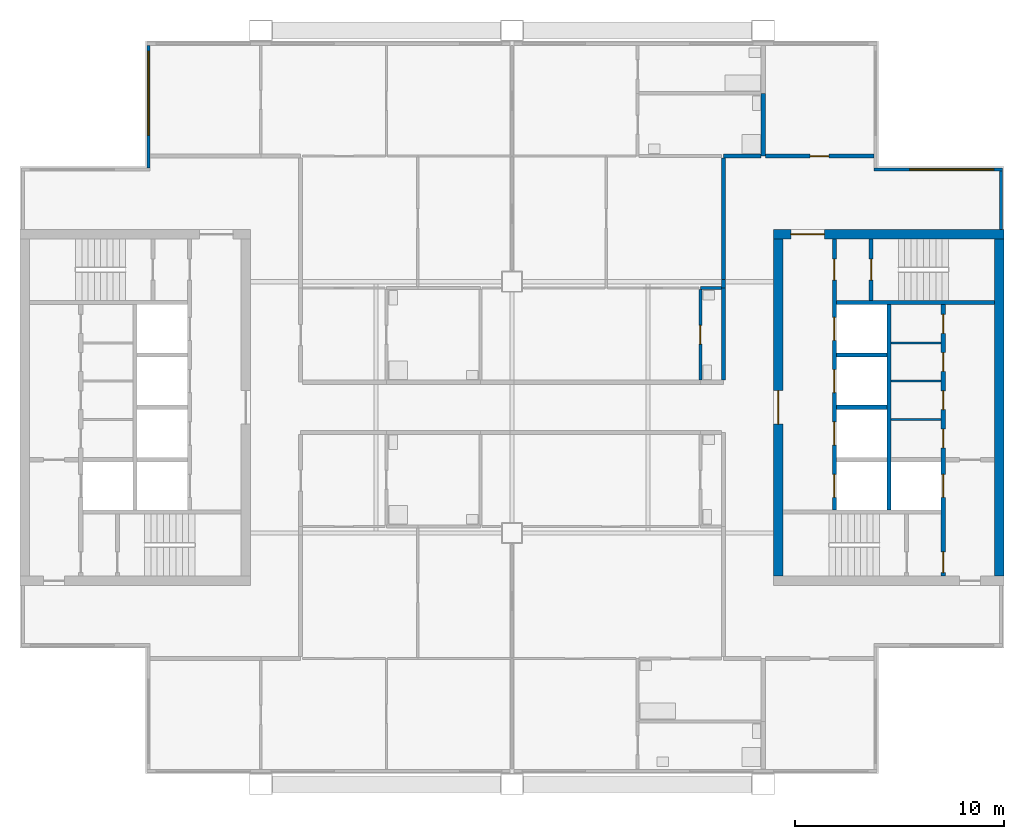
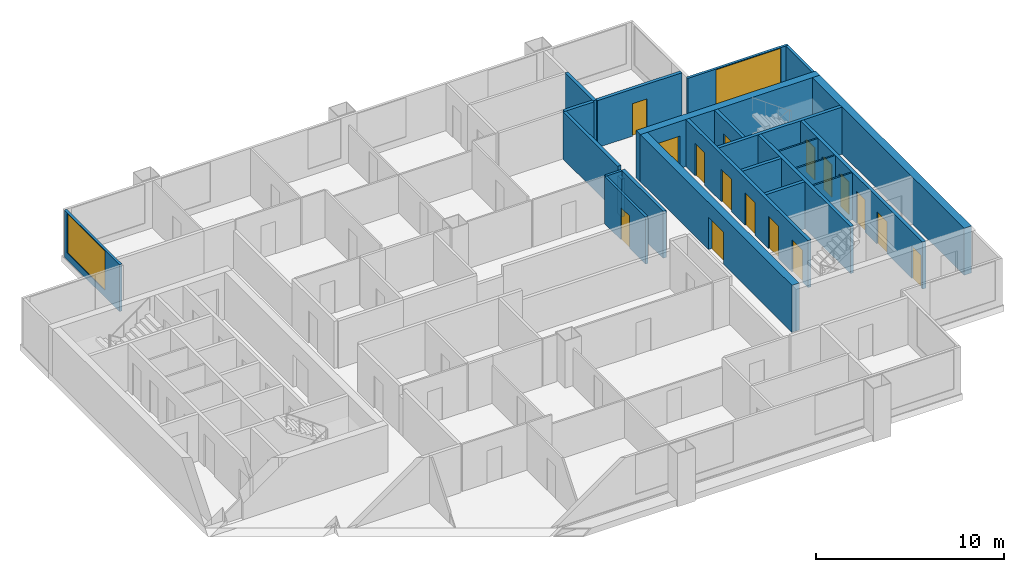
# One storey, part 5 of 8: 24 walls, 16 doors, 2 windows, 18 openings.
"""IFC4 building model written with IfcOpenShell, lengths in metres."""

from ifc_helpers import new_model, si_unit, direction, frame, frame_2d, origin, place, context, subcontext, project, spatial, rectangle, extrude, material, layer, layer_set, type_object, element, fill, save


model = new_model("IFC4")

# Units and contexts
model_context = context("Model", 3, precision=1e-05, world=origin(), true_north=direction((0.0, 1.0)))
body_context = subcontext(model_context, "Body", "Model", "MODEL_VIEW")
ifc_project = project(units=[si_unit("LENGTHUNIT", "METRE"), si_unit("AREAUNIT", "SQUARE_METRE"), si_unit("VOLUMEUNIT", "CUBIC_METRE"), si_unit("PLANEANGLEUNIT", "RADIAN"), si_unit("MASSUNIT", "GRAM", prefix="KILO")], contexts=[model_context])

# Site, building, storey
site_placement = place(None, origin())
site = spatial("IfcSite", under=ifc_project, at=site_placement, CompositionType="ELEMENT")
building_placement = place(site_placement, origin())
building = spatial("IfcBuilding", under=site, at=building_placement, Name="Kitamizu Gate Tower and Museum", CompositionType="ELEMENT")
storey_placement = place(building_placement, frame((0.0, 0.0, 228.300048828125)))
storey = spatial("IfcBuildingStorey", under=building, at=storey_placement, Name="L61", CompositionType="ELEMENT", Elevation=228.300048828125)

# Wall, opening, door
ifc_material_1 = material(Name="Concrete Fc42", Category="concrete")
ifc_layer_1 = layer(ifc_material_1, 0.449951171875)
ifc_layer_set_1 = layer_set([ifc_layer_1], Name="Concrete Fc42")
wall_type_1 = type_object("IfcWallType", Name="Core wall 450", PredefinedType="SHEAR", material=ifc_layer_set_1)
wall_1_placement = place(storey_placement, frame((59.5, 38.27490234375, 0.0), z_axis=(0.0, 0.0, 1.0), x_axis=(-1.0, 0.0, 0.0)))
wall_1 = element("IfcWall", 1, at=wall_1_placement, inside=storey, type_object=wall_type_1, Name="Core wall EN", PredefinedType="SHEAR", context=body_context, shape_type="SweptSolid", body=[
    extrude(rectangle(XDim=11.0, YDim=0.449951171875, at=frame_2d((5.5, 0.0))), origin(), (0.0, 0.0, 1.0), 3.050048828125),
])
opening_1_placement = place(wall_1_placement, frame((8.574951171875, 0.0, 0.0)))
opening_1 = element("IfcOpeningElement", 2, at=opening_1_placement, cuts=wall_1, Name="Opening L61-048", PredefinedType="OPENING", context=body_context, shape_type="SweptSolid", body=[
    extrude(rectangle(XDim=1.60009765625, YDim=2.10009765625, at=frame_2d((0.800048828125, 1.050048828125))), frame((0.0, 0.23486328125, 0.0), z_axis=(0.0, -1.0, 0.0), x_axis=(1.0, 0.0, 0.0)), (0.0, 0.0, 1.0), 0.469970703125),
])
ifc_material_2 = material(Name="Timber door set", Category="wood")
door_type_1 = type_object("IfcDoorType", Name="Entrance door 1600", OperationType="DOUBLE_DOOR_SINGLE_SWING", PredefinedType="DOOR", material=ifc_material_2)
door_1_placement = place(opening_1_placement, origin())
door_1 = element("IfcDoor", 3, at=door_1_placement, inside=storey, type_object=door_type_1, Name="Lobby door L61-048", OperationType="DOUBLE_DOOR_SINGLE_SWING", OverallHeight=2.10009765625, OverallWidth=1.60009765625, PredefinedType="DOOR", context=body_context, shape_type="SweptSolid", body=[
    extrude(rectangle(XDim=1.60009765625, YDim=2.10009765625, at=frame_2d((0.800048828125, 1.050048828125))), frame((0.0, 0.02490234375, 0.0), z_axis=(0.0, -1.0, 0.0), x_axis=(1.0, 0.0, 0.0)), (0.0, 0.0, 1.0), 0.050048828125),
])
fill(opening_1, door_1)

# Wall
wall_2_placement = place(storey_placement, frame((59.27490234375, 21.949951171875, 0.0), z_axis=(0.0, 0.0, 1.0), x_axis=(0.0, 1.0, 0.0)))
element("IfcWall", 4, at=wall_2_placement, inside=storey, type_object=wall_type_1, Name="Core wall EOUT", PredefinedType="SHEAR", context=body_context, shape_type="SweptSolid", body=[
    extrude(rectangle(XDim=16.10009765625, YDim=0.449951171875, at=frame_2d((8.050048828125, 0.0))), origin(), (0.0, 0.0, 1.0), 3.050048828125),
])

# Wall, opening, door
wall_3_placement = place(storey_placement, frame((48.72509765625, 21.949951171875, 0.0), z_axis=(0.0, 0.0, 1.0), x_axis=(0.0, 1.0, 0.0)))
wall_3 = element("IfcWall", 5, at=wall_3_placement, inside=storey, type_object=wall_type_1, Name="Core wall EARC", PredefinedType="SHEAR", context=body_context, shape_type="SweptSolid", body=[
    extrude(rectangle(XDim=16.10009765625, YDim=0.449951171875, at=frame_2d((8.050048828125, 0.0))), origin(), (0.0, 0.0, 1.0), 3.050048828125),
])
opening_2_placement = place(wall_3_placement, frame((7.25, 0.0, 0.0)))
opening_2 = element("IfcOpeningElement", 6, at=opening_2_placement, cuts=wall_3, Name="Opening L61-049", PredefinedType="OPENING", context=body_context, shape_type="SweptSolid", body=[
    extrude(rectangle(XDim=1.60009765625, YDim=2.10009765625, at=frame_2d((0.800048828125, 1.050048828125))), frame((0.0, 0.23486328125, 0.0), z_axis=(0.0, -1.0, 0.0), x_axis=(1.0, 0.0, 0.0)), (0.0, 0.0, 1.0), 0.469970703125),
])
door_2_placement = place(opening_2_placement, origin())
door_2 = element("IfcDoor", 7, at=door_2_placement, inside=storey, type_object=door_type_1, Name="Lobby door L61-049", OperationType="DOUBLE_DOOR_SINGLE_SWING", OverallHeight=2.10009765625, OverallWidth=1.60009765625, PredefinedType="DOOR", context=body_context, shape_type="SweptSolid", body=[
    extrude(rectangle(XDim=1.60009765625, YDim=2.10009765625, at=frame_2d((0.800048828125, 1.050048828125))), frame((0.0, 0.02490234375, 0.0), z_axis=(0.0, -1.0, 0.0), x_axis=(1.0, 0.0, 0.0)), (0.0, 0.0, 1.0), 0.050048828125),
])
fill(opening_2, door_2)

# Walls
ifc_material_3 = material(Name="Gypsum board on galvanised stud")
ifc_layer_2 = layer(ifc_material_3, 0.10009765625)
ifc_layer_set_2 = layer_set([ifc_layer_2], Name="Gypsum board on galvanised stud")
wall_type_2 = type_object("IfcWallType", Name="Partition 100", PredefinedType="PARTITIONING", material=ifc_layer_set_2)
for number, where, z_axis, x_axis, name in (
    (8, (56.5, 29.425048828125, 0.0), (0.0, 0.0, 1.0), (-1.0, 0.0, 0.0), "Partition EPF1"),
    (9, (56.5, 31.25, 0.0), (0.0, 0.0, 1.0), (-1.0, 0.0, 0.0), "Partition EPF2"),
    (10, (56.5, 33.074951171875, 0.0), (0.0, 0.0, 1.0), (-1.0, 0.0, 0.0), "Partition EPF3"),
):
    element("IfcWall", number, at=place(storey_placement, frame(where, z_axis=z_axis, x_axis=x_axis)), inside=storey, type_object=wall_type_2, Name=name, PredefinedType="PARTITIONING", context=body_context, shape_type="SweptSolid", body=[
        extrude(rectangle(XDim=2.39990234375, YDim=0.10009765625, at=frame_2d((1.199951171875, 0.0))), origin(), (0.0, 0.0, 1.0), 3.050048828125),
    ])
ifc_material_4 = material(Name="Gypsum board on galvanised stud")
ifc_layer_3 = layer(ifc_material_4, 0.14990234375)
ifc_layer_set_3 = layer_set([ifc_layer_3], Name="Gypsum board on galvanised stud")
wall_type_3 = type_object("IfcWallType", Name="Partition 150", PredefinedType="PARTITIONING", material=ifc_layer_set_3)
wall_4_placement = place(storey_placement, frame((45.0, 35.699951171875, 0.0), z_axis=(0.0, 0.0, 1.0), x_axis=(1.0, 0.0, 0.0)))
element("IfcWall", 11, at=wall_4_placement, inside=storey, type_object=wall_type_3, Name="Partition L61-067", PredefinedType="PARTITIONING", context=body_context, shape_type="SweptSolid", body=[
    extrude(rectangle(XDim=1.0, YDim=0.14990234375, at=frame_2d((0.5, 0.0))), origin(), (0.0, 0.0, 1.0), 3.050048828125),
])

# Wall, opening, door
wall_5_placement = place(storey_placement, frame((45.0, 31.300048828125, 0.0), z_axis=(0.0, 0.0, 1.0), x_axis=(0.0, 1.0, 0.0)))
wall_5 = element("IfcWall", 12, at=wall_5_placement, inside=storey, type_object=wall_type_3, Name="Partition L61-075", PredefinedType="PARTITIONING", context=body_context, shape_type="SweptSolid", body=[
    extrude(rectangle(XDim=4.324951171875, YDim=0.14990234375, at=frame_2d((2.16259765625, 0.0))), origin(), (0.0, 0.0, 1.0), 3.050048828125),
])
opening_3_placement = place(wall_5_placement, frame((1.71240234375, 0.0, 0.0)))
opening_3 = element("IfcOpeningElement", 13, at=opening_3_placement, cuts=wall_5, Name="Opening L61-026", PredefinedType="OPENING", context=body_context, shape_type="SweptSolid", body=[
    extrude(rectangle(XDim=0.89990234375, YDim=2.10009765625, at=frame_2d((0.449951171875, 1.050048828125))), frame((0.0, 0.0849609375, 0.0), z_axis=(0.0, -1.0, 0.0), x_axis=(1.0, 0.0, 0.0)), (0.0, 0.0, 1.0), 0.169921875),
])
ifc_material_5 = material(Name="Timber door set", Category="wood")
door_type_2 = type_object("IfcDoorType", Name="Bathroom door 900", OperationType="NOTDEFINED", PredefinedType="DOOR", material=ifc_material_5)
door_3_placement = place(opening_3_placement, frame((0.89990234375, 0.0, 0.0), x_axis=(-1.0, 0.0, 0.0)))
door_3 = element("IfcDoor", 14, at=door_3_placement, inside=storey, type_object=door_type_2, Name="Bathroom door L61-026", OperationType="SINGLE_SWING_RIGHT", OverallHeight=2.10009765625, OverallWidth=0.89990234375, PredefinedType="DOOR", context=body_context, shape_type="SweptSolid", body=[
    extrude(rectangle(XDim=0.89990234375, YDim=2.10009765625, at=frame_2d((0.449951171875, 1.050048828125))), frame((0.0, 0.02490234375, 0.0), z_axis=(0.0, -1.0, 0.0), x_axis=(1.0, 0.0, 0.0)), (0.0, 0.0, 1.0), 0.050048828125),
])
fill(opening_3, door_3)

# Walls
ifc_material_6 = material(Name="Gypsum board on galvanised stud")
ifc_layer_4 = layer(ifc_material_6, 0.199951171875)
ifc_layer_set_4 = layer_set([ifc_layer_4], Name="Gypsum board on galvanised stud")
wall_type_4 = type_object("IfcWallType", Name="Partition 200", PredefinedType="PARTITIONING", material=ifc_layer_set_4)
wall_6_placement = place(storey_placement, frame((48.0, 42.0, 0.0), z_axis=(0.0, 0.0, 1.0), x_axis=(0.0, 1.0, 0.0)))
element("IfcWall", 15, at=wall_6_placement, inside=storey, type_object=wall_type_4, Name="Partition L61-052", PredefinedType="PARTITIONING", context=body_context, shape_type="SweptSolid", body=[
    extrude(rectangle(XDim=3.0, YDim=0.199951171875, at=frame_2d((1.5, 0.0))), origin(), (0.0, 0.0, 1.0), 3.050048828125),
])
wall_7_placement = place(storey_placement, frame((46.10009765625, 42.0, 0.0), z_axis=(0.0, 0.0, 1.0), x_axis=(1.0, 0.0, 0.0)))
element("IfcWall", 16, at=wall_7_placement, inside=storey, type_object=wall_type_4, Name="Partition L61-053", PredefinedType="PARTITIONING", context=body_context, shape_type="SweptSolid", body=[
    extrude(rectangle(XDim=1.7998046875, YDim=0.199951171875, at=frame_2d((0.89990234375, 0.0))), origin(), (0.0, 0.0, 1.0), 3.050048828125),
])
wall_8_placement = place(storey_placement, frame((46.10009765625, 35.699951171875, 0.0), z_axis=(0.0, 0.0, 1.0), x_axis=(0.0, 1.0, 0.0)))
element("IfcWall", 17, at=wall_8_placement, inside=storey, type_object=wall_type_4, Name="Partition L61-068", PredefinedType="PARTITIONING", context=body_context, shape_type="SweptSolid", body=[
    extrude(rectangle(XDim=0.400146484375, YDim=0.199951171875, at=frame_2d((0.2001953125, 0.0))), origin(), (0.0, 0.0, 1.0), 2.449951171875),
])
wall_9_placement = place(storey_placement, frame((46.10009765625, 36.10009765625, 0.0), z_axis=(0.0, 0.0, 1.0), x_axis=(0.0, 1.0, 0.0)))
element("IfcWall", 18, at=wall_9_placement, inside=storey, type_object=wall_type_4, Name="Partition L61-069", PredefinedType="PARTITIONING", context=body_context, shape_type="SweptSolid", body=[
    extrude(rectangle(XDim=5.7998046875, YDim=0.199951171875, at=frame_2d((2.89990234375, 0.0))), origin(), (0.0, 0.0, 1.0), 3.050048828125),
])
wall_10_placement = place(storey_placement, frame((46.10009765625, 31.300048828125, 0.0), z_axis=(0.0, 0.0, 1.0), x_axis=(0.0, 1.0, 0.0)))
element("IfcWall", 19, at=wall_10_placement, inside=storey, type_object=wall_type_4, Name="Partition L61-079", PredefinedType="PARTITIONING", context=body_context, shape_type="SweptSolid", body=[
    extrude(rectangle(XDim=4.39990234375, YDim=0.199951171875, at=frame_2d((2.199951171875, 0.0))), origin(), (0.0, 0.0, 1.0), 3.050048828125),
])

# Wall, opening, door
wall_11_placement = place(storey_placement, frame((48.10009765625, 42.0, 0.0), z_axis=(0.0, 0.0, 1.0), x_axis=(1.0, 0.0, 0.0)))
wall_11 = element("IfcWall", 20, at=wall_11_placement, inside=storey, type_object=wall_type_4, Name="Partition L61-081", PredefinedType="PARTITIONING", context=body_context, shape_type="SweptSolid", body=[
    extrude(rectangle(XDim=5.179931640625, YDim=0.199951171875, at=frame_2d((2.58984375, 0.0))), origin(), (0.0, 0.0, 1.0), 3.050048828125),
])
opening_4_placement = place(wall_11_placement, frame((2.139892578125, 0.0, 0.0)))
opening_4 = element("IfcOpeningElement", 21, at=opening_4_placement, cuts=wall_11, Name="Opening L61-029", PredefinedType="OPENING", context=body_context, shape_type="SweptSolid", body=[
    extrude(rectangle(XDim=0.89990234375, YDim=2.10009765625, at=frame_2d((0.449951171875, 1.050048828125))), frame((0.0, 0.10986328125, 0.0), z_axis=(0.0, -1.0, 0.0), x_axis=(1.0, 0.0, 0.0)), (0.0, 0.0, 1.0), 0.219970703125),
])
ifc_material_7 = material(Name="Timber door set", Category="wood")
door_type_3 = type_object("IfcDoorType", Name="Room door 900", OperationType="NOTDEFINED", PredefinedType="DOOR", material=ifc_material_7)
door_4_placement = place(opening_4_placement, origin())
door_4 = element("IfcDoor", 22, at=door_4_placement, inside=storey, type_object=door_type_3, Name="Door L61-029", OperationType="SINGLE_SWING_RIGHT", OverallHeight=2.10009765625, OverallWidth=0.89990234375, PredefinedType="DOOR", context=body_context, shape_type="SweptSolid", body=[
    extrude(rectangle(XDim=0.89990234375, YDim=2.10009765625, at=frame_2d((0.449951171875, 1.050048828125))), frame((0.0, 0.02490234375, 0.0), z_axis=(0.0, -1.0, 0.0), x_axis=(1.0, 0.0, 0.0)), (0.0, 0.0, 1.0), 0.050048828125),
])
fill(opening_4, door_4)

# Wall, openings, doors
ifc_material_8 = material(Name="Concrete Fc42", Category="concrete")
ifc_layer_5 = layer(ifc_material_8, 0.199951171875)
ifc_layer_set_5 = layer_set([ifc_layer_5], Name="Concrete Fc42")
wall_type_5 = type_object("IfcWallType", Name="Shaft wall 200", PredefinedType="SOLIDWALL", material=ifc_layer_set_5)
wall_12_placement = place(storey_placement, frame((56.60009765625, 21.949951171875, 0.0), z_axis=(0.0, 0.0, 1.0), x_axis=(0.0, 1.0, 0.0)))
wall_12 = element("IfcWall", 23, at=wall_12_placement, inside=storey, type_object=wall_type_5, Name="Shaft wall EWEST", PredefinedType="SOLIDWALL", context=body_context, shape_type="SweptSolid", body=[
    extrude(rectangle(XDim=12.949951171875, YDim=0.199951171875, at=frame_2d((6.47509765625, 0.0))), origin(), (0.0, 0.0, 1.0), 3.050048828125),
])
opening_5_placement = place(wall_12_placement, frame((3.75, 0.0, 0.0)))
opening_5 = element("IfcOpeningElement", 24, at=opening_5_placement, cuts=wall_12, Name="Opening LD", PredefinedType="OPENING", context=body_context, shape_type="SweptSolid", body=[
    extrude(rectangle(XDim=1.10009765625, YDim=2.10009765625, at=frame_2d((0.550048828125, 1.050048828125))), frame((0.0, 0.10986328125, 0.0), z_axis=(0.0, -1.0, 0.0), x_axis=(1.0, 0.0, 0.0)), (0.0, 0.0, 1.0), 0.219970703125),
])
opening_6_placement = place(wall_12_placement, frame((0.14990234375, 0.0, 0.0)))
opening_6 = element("IfcOpeningElement", 25, at=opening_6_placement, cuts=wall_12, Name="Opening L61-043", PredefinedType="OPENING", context=body_context, shape_type="SweptSolid", body=[
    extrude(rectangle(XDim=1.0, YDim=2.10009765625, at=frame_2d((0.5, 1.050048828125))), frame((0.0, 0.10986328125, 0.0), z_axis=(0.0, -1.0, 0.0), x_axis=(1.0, 0.0, 0.0)), (0.0, 0.0, 1.0), 0.219970703125),
])
opening_7_placement = place(wall_12_placement, frame((6.112548828125, 0.0, 0.0)))
opening_7 = element("IfcOpeningElement", 26, at=opening_7_placement, cuts=wall_12, Name="Opening L61-050", PredefinedType="OPENING", context=body_context, shape_type="SweptSolid", body=[
    extrude(rectangle(XDim=0.89990234375, YDim=2.10009765625, at=frame_2d((0.449951171875, 1.050048828125))), frame((0.0, 0.10986328125, 0.0), z_axis=(0.0, -1.0, 0.0), x_axis=(1.0, 0.0, 0.0)), (0.0, 0.0, 1.0), 0.219970703125),
])
opening_8_placement = place(wall_12_placement, frame((7.9375, 0.0, 0.0)))
opening_8 = element("IfcOpeningElement", 27, at=opening_8_placement, cuts=wall_12, Name="Opening L61-051", PredefinedType="OPENING", context=body_context, shape_type="SweptSolid", body=[
    extrude(rectangle(XDim=0.89990234375, YDim=2.10009765625, at=frame_2d((0.449951171875, 1.050048828125))), frame((0.0, 0.10986328125, 0.0), z_axis=(0.0, -1.0, 0.0), x_axis=(1.0, 0.0, 0.0)), (0.0, 0.0, 1.0), 0.219970703125),
])
opening_9_placement = place(wall_12_placement, frame((9.762451171875, 0.0, 0.0)))
opening_9 = element("IfcOpeningElement", 28, at=opening_9_placement, cuts=wall_12, Name="Opening L61-052", PredefinedType="OPENING", context=body_context, shape_type="SweptSolid", body=[
    extrude(rectangle(XDim=0.89990234375, YDim=2.10009765625, at=frame_2d((0.449951171875, 1.050048828125))), frame((0.0, 0.10986328125, 0.0), z_axis=(0.0, -1.0, 0.0), x_axis=(1.0, 0.0, 0.0)), (0.0, 0.0, 1.0), 0.219970703125),
])
opening_10_placement = place(wall_12_placement, frame((11.58740234375, 0.0, 0.0)))
opening_10 = element("IfcOpeningElement", 29, at=opening_10_placement, cuts=wall_12, Name="Opening L61-053", PredefinedType="OPENING", context=body_context, shape_type="SweptSolid", body=[
    extrude(rectangle(XDim=0.89990234375, YDim=2.10009765625, at=frame_2d((0.449951171875, 1.050048828125))), frame((0.0, 0.10986328125, 0.0), z_axis=(0.0, -1.0, 0.0), x_axis=(1.0, 0.0, 0.0)), (0.0, 0.0, 1.0), 0.219970703125),
])
ifc_material_9 = material(Name="Hollow metal door set")
door_type_4 = type_object("IfcDoorType", Name="Fire door 1000", OperationType="NOTDEFINED", PredefinedType="DOOR", material=ifc_material_9)
door_5_placement = place(opening_6_placement, origin())
door_5 = element("IfcDoor", 30, at=door_5_placement, inside=storey, type_object=door_type_4, Name="Stair lobby door L61-043", OperationType="SINGLE_SWING_RIGHT", OverallHeight=2.10009765625, OverallWidth=1.0, PredefinedType="DOOR", context=body_context, shape_type="SweptSolid", body=[
    extrude(rectangle(XDim=1.0, YDim=2.10009765625, at=frame_2d((0.5, 1.050048828125))), frame((0.0, 0.02490234375, 0.0), z_axis=(0.0, -1.0, 0.0), x_axis=(1.0, 0.0, 0.0)), (0.0, 0.0, 1.0), 0.050048828125),
])
fill(opening_6, door_5)
ifc_material_10 = material(Name="Hollow metal door set")
door_type_5 = type_object("IfcDoorType", Name="Landing door 1100", OperationType="SLIDING_TO_LEFT", PredefinedType="DOOR", material=ifc_material_10)
door_6_placement = place(opening_5_placement, origin())
door_6 = element("IfcDoor", 31, at=door_6_placement, inside=storey, type_object=door_type_5, Name="Landing door EFF1", OperationType="SLIDING_TO_LEFT", OverallHeight=2.10009765625, OverallWidth=1.10009765625, PredefinedType="DOOR", context=body_context, shape_type="SweptSolid", body=[
    extrude(rectangle(XDim=1.10009765625, YDim=2.10009765625, at=frame_2d((0.550048828125, 1.050048828125))), frame((0.0, 0.02490234375, 0.0), z_axis=(0.0, -1.0, 0.0), x_axis=(1.0, 0.0, 0.0)), (0.0, 0.0, 1.0), 0.050048828125),
])
fill(opening_5, door_6)
ifc_material_11 = material(Name="Timber door set", Category="wood")
door_type_6 = type_object("IfcDoorType", Name="Service door 900", OperationType="NOTDEFINED", PredefinedType="DOOR", material=ifc_material_11)
door_7_placement = place(opening_7_placement, origin())
door_7 = element("IfcDoor", 32, at=door_7_placement, inside=storey, type_object=door_type_6, Name="Service door L61-050", OperationType="SINGLE_SWING_LEFT", OverallHeight=2.10009765625, OverallWidth=0.89990234375, PredefinedType="DOOR", context=body_context, shape_type="SweptSolid", body=[
    extrude(rectangle(XDim=0.89990234375, YDim=2.10009765625, at=frame_2d((0.449951171875, 1.050048828125))), frame((0.0, 0.02490234375, 0.0), z_axis=(0.0, -1.0, 0.0), x_axis=(1.0, 0.0, 0.0)), (0.0, 0.0, 1.0), 0.050048828125),
])
fill(opening_7, door_7)
door_8_placement = place(opening_8_placement, origin())
door_8 = element("IfcDoor", 33, at=door_8_placement, inside=storey, type_object=door_type_6, Name="Service door L61-051", OperationType="SINGLE_SWING_RIGHT", OverallHeight=2.10009765625, OverallWidth=0.89990234375, PredefinedType="DOOR", context=body_context, shape_type="SweptSolid", body=[
    extrude(rectangle(XDim=0.89990234375, YDim=2.10009765625, at=frame_2d((0.449951171875, 1.050048828125))), frame((0.0, 0.02490234375, 0.0), z_axis=(0.0, -1.0, 0.0), x_axis=(1.0, 0.0, 0.0)), (0.0, 0.0, 1.0), 0.050048828125),
])
fill(opening_8, door_8)
door_9_placement = place(opening_9_placement, origin())
door_9 = element("IfcDoor", 34, at=door_9_placement, inside=storey, type_object=door_type_6, Name="Service door L61-052", OperationType="SINGLE_SWING_LEFT", OverallHeight=2.10009765625, OverallWidth=0.89990234375, PredefinedType="DOOR", context=body_context, shape_type="SweptSolid", body=[
    extrude(rectangle(XDim=0.89990234375, YDim=2.10009765625, at=frame_2d((0.449951171875, 1.050048828125))), frame((0.0, 0.02490234375, 0.0), z_axis=(0.0, -1.0, 0.0), x_axis=(1.0, 0.0, 0.0)), (0.0, 0.0, 1.0), 0.050048828125),
])
fill(opening_9, door_9)
door_10_placement = place(opening_10_placement, origin())
door_10 = element("IfcDoor", 35, at=door_10_placement, inside=storey, type_object=door_type_6, Name="Service door L61-053", OperationType="SINGLE_SWING_RIGHT", OverallHeight=2.10009765625, OverallWidth=0.89990234375, PredefinedType="DOOR", context=body_context, shape_type="SweptSolid", body=[
    extrude(rectangle(XDim=0.89990234375, YDim=2.10009765625, at=frame_2d((0.449951171875, 1.050048828125))), frame((0.0, 0.02490234375, 0.0), z_axis=(0.0, -1.0, 0.0), x_axis=(1.0, 0.0, 0.0)), (0.0, 0.0, 1.0), 0.050048828125),
])
fill(opening_10, door_10)

wall_13_placement = place(storey_placement, frame((51.39990234375, 25.10009765625, 0.0), z_axis=(0.0, 0.0, 1.0), x_axis=(0.0, 1.0, 0.0)))
wall_13 = element("IfcWall", 36, at=wall_13_placement, inside=storey, type_object=wall_type_5, Name="Shaft wall EEAST", PredefinedType="SOLIDWALL", context=body_context, shape_type="SweptSolid", body=[
    extrude(rectangle(XDim=12.949951171875, YDim=0.199951171875, at=frame_2d((6.47509765625, 0.0))), origin(), (0.0, 0.0, 1.0), 3.050048828125),
])
opening_11_placement = place(wall_13_placement, frame((0.60009765625, 0.0, 0.0)))
opening_11 = element("IfcOpeningElement", 37, at=opening_11_placement, cuts=wall_13, Name="Opening LD", PredefinedType="OPENING", context=body_context, shape_type="SweptSolid", body=[
    extrude(rectangle(XDim=1.10009765625, YDim=2.10009765625, at=frame_2d((0.550048828125, 1.050048828125))), frame((0.0, 0.10986328125, 0.0), z_axis=(0.0, -1.0, 0.0), x_axis=(1.0, 0.0, 0.0)), (0.0, 0.0, 1.0), 0.219970703125),
])
opening_12_placement = place(wall_13_placement, frame((3.10009765625, 0.0, 0.0)))
opening_12 = element("IfcOpeningElement", 38, at=opening_12_placement, cuts=wall_13, Name="Opening LD", PredefinedType="OPENING", context=body_context, shape_type="SweptSolid", body=[
    extrude(rectangle(XDim=1.10009765625, YDim=2.10009765625, at=frame_2d((0.550048828125, 1.050048828125))), frame((0.0, 0.10986328125, 0.0), z_axis=(0.0, -1.0, 0.0), x_axis=(1.0, 0.0, 0.0)), (0.0, 0.0, 1.0), 0.219970703125),
])
opening_13_placement = place(wall_13_placement, frame((5.60009765625, 0.0, 0.0)))
opening_13 = element("IfcOpeningElement", 39, at=opening_13_placement, cuts=wall_13, Name="Opening LD", PredefinedType="OPENING", context=body_context, shape_type="SweptSolid", body=[
    extrude(rectangle(XDim=1.10009765625, YDim=2.10009765625, at=frame_2d((0.550048828125, 1.050048828125))), frame((0.0, 0.10986328125, 0.0), z_axis=(0.0, -1.0, 0.0), x_axis=(1.0, 0.0, 0.0)), (0.0, 0.0, 1.0), 0.219970703125),
])
opening_14_placement = place(wall_13_placement, frame((8.10009765625, 0.0, 0.0)))
opening_14 = element("IfcOpeningElement", 40, at=opening_14_placement, cuts=wall_13, Name="Opening LD", PredefinedType="OPENING", context=body_context, shape_type="SweptSolid", body=[
    extrude(rectangle(XDim=1.10009765625, YDim=2.10009765625, at=frame_2d((0.550048828125, 1.050048828125))), frame((0.0, 0.10986328125, 0.0), z_axis=(0.0, -1.0, 0.0), x_axis=(1.0, 0.0, 0.0)), (0.0, 0.0, 1.0), 0.219970703125),
])
opening_15_placement = place(wall_13_placement, frame((10.97509765625, 0.0, 0.0)))
opening_15 = element("IfcOpeningElement", 41, at=opening_15_placement, cuts=wall_13, Name="Opening L61-044", PredefinedType="OPENING", context=body_context, shape_type="SweptSolid", body=[
    extrude(rectangle(XDim=1.0, YDim=2.10009765625, at=frame_2d((0.5, 1.050048828125))), frame((0.0, 0.10986328125, 0.0), z_axis=(0.0, -1.0, 0.0), x_axis=(1.0, 0.0, 0.0)), (0.0, 0.0, 1.0), 0.219970703125),
])
door_11_placement = place(opening_15_placement, frame((1.0, 0.0, 0.0), x_axis=(-1.0, 0.0, 0.0)))
door_11 = element("IfcDoor", 42, at=door_11_placement, inside=storey, type_object=door_type_4, Name="Stair lobby door L61-044", OperationType="SINGLE_SWING_RIGHT", OverallHeight=2.10009765625, OverallWidth=1.0, PredefinedType="DOOR", context=body_context, shape_type="SweptSolid", body=[
    extrude(rectangle(XDim=1.0, YDim=2.10009765625, at=frame_2d((0.5, 1.050048828125))), frame((0.0, 0.02490234375, 0.0), z_axis=(0.0, -1.0, 0.0), x_axis=(1.0, 0.0, 0.0)), (0.0, 0.0, 1.0), 0.050048828125),
])
fill(opening_15, door_11)
door_12_placement = place(opening_11_placement, origin())
door_12 = element("IfcDoor", 43, at=door_12_placement, inside=storey, type_object=door_type_5, Name="Landing door ESV1", OperationType="SLIDING_TO_LEFT", OverallHeight=2.10009765625, OverallWidth=1.10009765625, PredefinedType="DOOR", context=body_context, shape_type="SweptSolid", body=[
    extrude(rectangle(XDim=1.10009765625, YDim=2.10009765625, at=frame_2d((0.550048828125, 1.050048828125))), frame((0.0, 0.02490234375, 0.0), z_axis=(0.0, -1.0, 0.0), x_axis=(1.0, 0.0, 0.0)), (0.0, 0.0, 1.0), 0.050048828125),
])
fill(opening_11, door_12)
door_13_placement = place(opening_12_placement, origin())
door_13 = element("IfcDoor", 44, at=door_13_placement, inside=storey, type_object=door_type_5, Name="Landing door EH1", OperationType="SLIDING_TO_LEFT", OverallHeight=2.10009765625, OverallWidth=1.10009765625, PredefinedType="DOOR", context=body_context, shape_type="SweptSolid", body=[
    extrude(rectangle(XDim=1.10009765625, YDim=2.10009765625, at=frame_2d((0.550048828125, 1.050048828125))), frame((0.0, 0.02490234375, 0.0), z_axis=(0.0, -1.0, 0.0), x_axis=(1.0, 0.0, 0.0)), (0.0, 0.0, 1.0), 0.050048828125),
])
fill(opening_12, door_13)
door_14_placement = place(opening_13_placement, origin())
door_14 = element("IfcDoor", 45, at=door_14_placement, inside=storey, type_object=door_type_5, Name="Landing door EH2", OperationType="SLIDING_TO_LEFT", OverallHeight=2.10009765625, OverallWidth=1.10009765625, PredefinedType="DOOR", context=body_context, shape_type="SweptSolid", body=[
    extrude(rectangle(XDim=1.10009765625, YDim=2.10009765625, at=frame_2d((0.550048828125, 1.050048828125))), frame((0.0, 0.02490234375, 0.0), z_axis=(0.0, -1.0, 0.0), x_axis=(1.0, 0.0, 0.0)), (0.0, 0.0, 1.0), 0.050048828125),
])
fill(opening_13, door_14)
door_15_placement = place(opening_14_placement, origin())
door_15 = element("IfcDoor", 46, at=door_15_placement, inside=storey, type_object=door_type_5, Name="Landing door EH3", OperationType="SLIDING_TO_LEFT", OverallHeight=2.10009765625, OverallWidth=1.10009765625, PredefinedType="DOOR", context=body_context, shape_type="SweptSolid", body=[
    extrude(rectangle(XDim=1.10009765625, YDim=2.10009765625, at=frame_2d((0.550048828125, 1.050048828125))), frame((0.0, 0.02490234375, 0.0), z_axis=(0.0, -1.0, 0.0), x_axis=(1.0, 0.0, 0.0)), (0.0, 0.0, 1.0), 0.050048828125),
])
fill(opening_14, door_15)

# Walls
wall_14_placement = place(storey_placement, frame((54.0, 25.10009765625, 0.0), z_axis=(0.0, 0.0, 1.0), x_axis=(0.0, 1.0, 0.0)))
element("IfcWall", 47, at=wall_14_placement, inside=storey, type_object=wall_type_5, Name="Shaft wall EMID", PredefinedType="SOLIDWALL", context=body_context, shape_type="SweptSolid", body=[
    extrude(rectangle(XDim=9.7998046875, YDim=0.199951171875, at=frame_2d((4.89990234375, 0.0))), origin(), (0.0, 0.0, 1.0), 3.050048828125),
])
wall_15_placement = place(storey_placement, frame((59.050048828125, 35.0, 0.0), z_axis=(0.0, 0.0, 1.0), x_axis=(-1.0, 0.0, 0.0)))
element("IfcWall", 48, at=wall_15_placement, inside=storey, type_object=wall_type_5, Name="Shaft wall ENB", PredefinedType="SOLIDWALL", context=body_context, shape_type="SweptSolid", body=[
    extrude(rectangle(XDim=7.550048828125, YDim=0.199951171875, at=frame_2d((3.77490234375, 0.0))), origin(), (0.0, 0.0, 1.0), 3.050048828125),
])

# Wall, opening, door
wall_16_placement = place(storey_placement, frame((53.14990234375, 35.10009765625, 0.0), z_axis=(0.0, 0.0, 1.0), x_axis=(0.0, 1.0, 0.0)))
wall_16 = element("IfcWall", 49, at=wall_16_placement, inside=storey, type_object=wall_type_5, Name="Shaft wall ENZ", PredefinedType="SOLIDWALL", context=body_context, shape_type="SweptSolid", body=[
    extrude(rectangle(XDim=2.949951171875, YDim=0.199951171875, at=frame_2d((1.47509765625, 0.0))), origin(), (0.0, 0.0, 1.0), 3.050048828125),
])
opening_16_placement = place(wall_16_placement, frame((0.97509765625, 0.0, 0.0)))
opening_16 = element("IfcOpeningElement", 50, at=opening_16_placement, cuts=wall_16, Name="Opening L61-045", PredefinedType="OPENING", context=body_context, shape_type="SweptSolid", body=[
    extrude(rectangle(XDim=1.0, YDim=2.10009765625, at=frame_2d((0.5, 1.050048828125))), frame((0.0, 0.10986328125, 0.0), z_axis=(0.0, -1.0, 0.0), x_axis=(1.0, 0.0, 0.0)), (0.0, 0.0, 1.0), 0.219970703125),
])
door_16_placement = place(opening_16_placement, frame((1.0, 0.0, 0.0), x_axis=(-1.0, 0.0, 0.0)))
door_16 = element("IfcDoor", 51, at=door_16_placement, inside=storey, type_object=door_type_4, Name="Stair door L61-045", OperationType="SINGLE_SWING_LEFT", OverallHeight=2.10009765625, OverallWidth=1.0, PredefinedType="DOOR", context=body_context, shape_type="SweptSolid", body=[
    extrude(rectangle(XDim=1.0, YDim=2.10009765625, at=frame_2d((0.5, 1.050048828125))), frame((0.0, 0.02490234375, 0.0), z_axis=(0.0, -1.0, 0.0), x_axis=(1.0, 0.0, 0.0)), (0.0, 0.0, 1.0), 0.050048828125),
])
fill(opening_16, door_16)

# Walls
for number, where, z_axis, x_axis, name in (
    (52, (53.89990234375, 30.0, 0.0), (0.0, 0.0, 1.0), (-1.0, 0.0, 0.0), "Shaft wall EDVE1"),
    (53, (53.89990234375, 32.5, 0.0), (0.0, 0.0, 1.0), (-1.0, 0.0, 0.0), "Shaft wall EDVE2"),
):
    element("IfcWall", number, at=place(storey_placement, frame(where, z_axis=z_axis, x_axis=x_axis)), inside=storey, type_object=wall_type_5, Name=name, PredefinedType="SOLIDWALL", context=body_context, shape_type="SweptSolid", body=[
        extrude(rectangle(XDim=2.39990234375, YDim=0.199951171875, at=frame_2d((1.199951171875, 0.0))), origin(), (0.0, 0.0, 1.0), 3.050048828125),
    ])
ifc_material_12 = material(Name="Bronze anodised aluminium frame with insulated spandrel and tinted glass", Category="aluminium")
ifc_layer_6 = layer(ifc_material_12, 0.14990234375)
ifc_layer_set_6 = layer_set([ifc_layer_6], Name="Bronze anodised aluminium frame with insulated spandrel and tinted glass")
wall_type_6 = type_object("IfcWallType", Name="WINDOW WALL 150 BRONZE FRAME EI 30", PredefinedType="ELEMENTEDWALL", material=ifc_layer_set_6)
wall_17_placement = place(storey_placement, frame((59.364990234375, 38.5, 0.0), z_axis=(0.0, 0.0, 1.0), x_axis=(0.0, 1.0, 0.0)))
element("IfcWall", 54, at=wall_17_placement, inside=storey, type_object=wall_type_6, Name="Window wall east L61", PredefinedType="ELEMENTEDWALL", context=body_context, shape_type="SweptSolid", body=[
    extrude(rectangle(XDim=2.7900390625, YDim=0.14990234375, at=frame_2d((1.39501953125, 0.0))), origin(), (0.0, 0.0, 1.0), 3.050048828125),
])

# Wall, opening, window
wall_18_placement = place(storey_placement, frame((53.2900390625, 41.364990234375, 0.0), z_axis=(0.0, 0.0, 1.0), x_axis=(1.0, 0.0, 0.0)))
wall_18 = element("IfcWall", 55, at=wall_18_placement, inside=storey, type_object=wall_type_6, Name="Window wall north L61", PredefinedType="ELEMENTEDWALL", context=body_context, shape_type="SweptSolid", body=[
    extrude(rectangle(XDim=6.14990234375, YDim=0.14990234375, at=frame_2d((3.074951171875, 0.0))), origin(), (0.0, 0.0, 1.0), 3.050048828125),
])
opening_17_placement = place(wall_18_placement, frame((1.7099609375, 0.0, 0.449951171875)))
opening_17 = element("IfcOpeningElement", 56, at=opening_17_placement, cuts=wall_18, Name="Opening W16", PredefinedType="OPENING", context=body_context, shape_type="SweptSolid", body=[
    extrude(rectangle(XDim=4.0, YDim=2.550048828125, at=frame_2d((2.0, 1.27490234375))), frame((0.0, 0.0849609375, 0.0), z_axis=(0.0, -1.0, 0.0), x_axis=(1.0, 0.0, 0.0)), (0.0, 0.0, 1.0), 0.169921875),
])
ifc_material_13 = material(Name="Bronze anodised aluminium frame, tinted triple glazing", Category="aluminium")
window_type = type_object("IfcWindowType", Name="WINDOW 4000 x 2550 SILL 450", PartitioningType="SINGLE_PANEL", PredefinedType="WINDOW", material=ifc_material_13)
window_1_placement = place(opening_17_placement, origin())
window_1 = element("IfcWindow", 57, at=window_1_placement, inside=storey, type_object=window_type, Name="Window W16 L61", OverallHeight=2.550048828125, OverallWidth=4.0, PartitioningType="SINGLE_PANEL", PredefinedType="WINDOW", context=body_context, shape_type="SweptSolid", body=[
    extrude(rectangle(XDim=4.0, YDim=2.550048828125, at=frame_2d((2.0, 1.27490234375))), frame((0.0, 0.030029296875, 0.0), z_axis=(0.0, -1.0, 0.0), x_axis=(1.0, 0.0, 0.0)), (0.0, 0.0, 1.0), 0.06005859375),
])
fill(opening_17, window_1)

wall_19_placement = place(storey_placement, frame((18.635009765625, 41.43994140625, 0.0), z_axis=(0.0, 0.0, 1.0), x_axis=(0.0, 1.0, 0.0)))
wall_19 = element("IfcWall", 58, at=wall_19_placement, inside=storey, type_object=wall_type_6, Name="Window wall west L61", PredefinedType="ELEMENTEDWALL", context=body_context, shape_type="SweptSolid", body=[
    extrude(rectangle(XDim=5.85009765625, YDim=0.14990234375, at=frame_2d((2.925048828125, 0.0))), origin(), (0.0, 0.0, 1.0), 3.050048828125),
])
opening_18_placement = place(wall_19_placement, frame((1.56005859375, 0.0, 0.449951171875)))
opening_18 = element("IfcOpeningElement", 59, at=opening_18_placement, cuts=wall_19, Name="Opening W16", PredefinedType="OPENING", context=body_context, shape_type="SweptSolid", body=[
    extrude(rectangle(XDim=4.0, YDim=2.550048828125, at=frame_2d((2.0, 1.27490234375))), frame((0.0, 0.0849609375, 0.0), z_axis=(0.0, -1.0, 0.0), x_axis=(1.0, 0.0, 0.0)), (0.0, 0.0, 1.0), 0.169921875),
])
window_2_placement = place(opening_18_placement, origin())
window_2 = element("IfcWindow", 60, at=window_2_placement, inside=storey, type_object=window_type, Name="Window W16 L61", OverallHeight=2.550048828125, OverallWidth=4.0, PartitioningType="SINGLE_PANEL", PredefinedType="WINDOW", context=body_context, shape_type="SweptSolid", body=[
    extrude(rectangle(XDim=4.0, YDim=2.550048828125, at=frame_2d((2.0, 1.27490234375))), frame((0.0, 0.030029296875, 0.0), z_axis=(0.0, -1.0, 0.0), x_axis=(1.0, 0.0, 0.0)), (0.0, 0.0, 1.0), 0.06005859375),
])
fill(opening_18, window_2)

save(model, "model.ifc")
